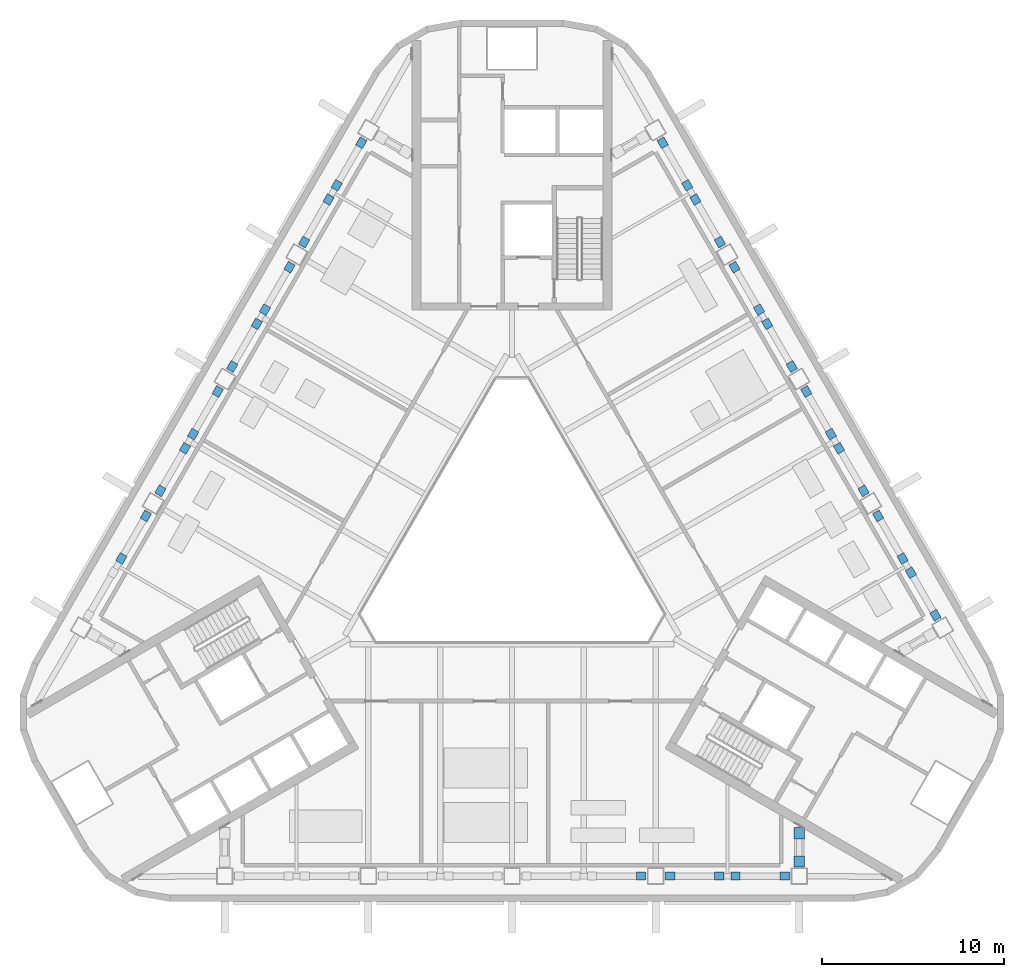
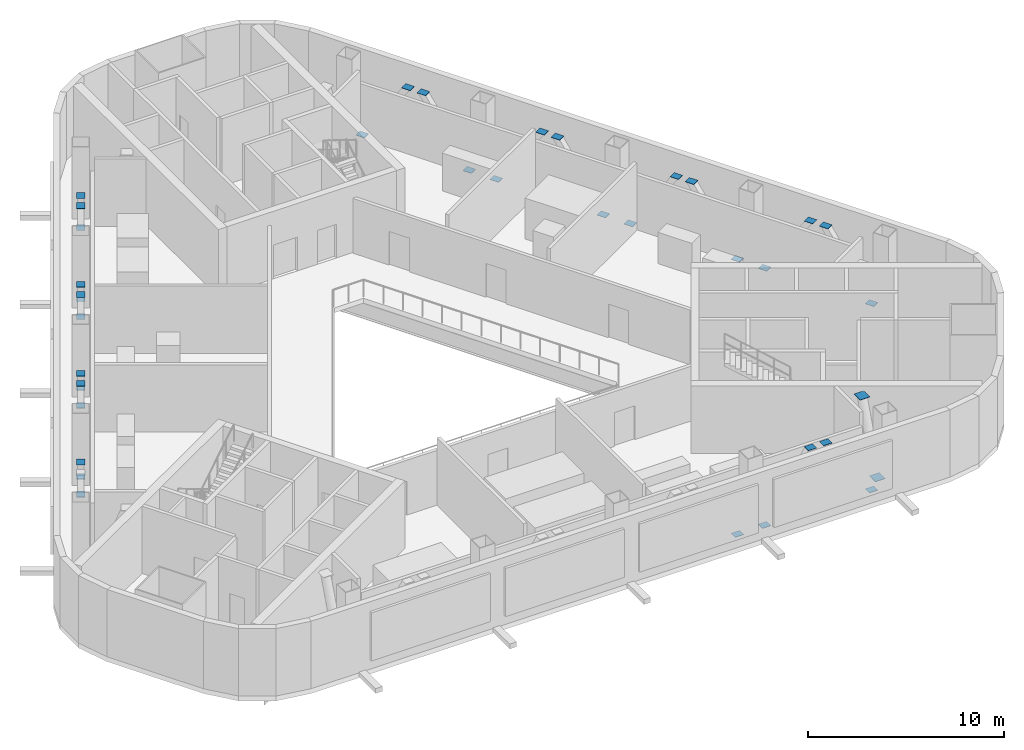
# One storey, part 10 of 15: 37 discrete accessories.
"""IFC4 building model written with IfcOpenShell, lengths in metres."""

from ifc_helpers import new_model, si_unit, direction, frame, origin, origin_2d, place, context, subcontext, project, spatial, rectangle, extrude, material, layer, layer_set, type_object, element, save


model = new_model("IFC4")

# Units and contexts
model_context = context("Model", 3, precision=1e-05, world=origin(), true_north=direction((0.0, 1.0)))
body_context = subcontext(model_context, "Body", "Model", "MODEL_VIEW")
ifc_project = project(units=[si_unit("LENGTHUNIT", "METRE"), si_unit("AREAUNIT", "SQUARE_METRE"), si_unit("VOLUMEUNIT", "CUBIC_METRE"), si_unit("PLANEANGLEUNIT", "RADIAN"), si_unit("MASSUNIT", "GRAM", prefix="KILO")], contexts=[model_context])

# Site, building, storey
site_placement = place(None, origin())
site = spatial("IfcSite", under=ifc_project, at=site_placement, CompositionType="ELEMENT")
building_placement = place(site_placement, origin())
building = spatial("IfcBuilding", under=site, at=building_placement, Name="Apuvela Tower Hotel", CompositionType="ELEMENT")
storey_placement = place(building_placement, frame((0.0, 0.0, 137.60009765625)))
storey = spatial("IfcBuildingStorey", under=building, at=storey_placement, Name="L32 Plant", CompositionType="ELEMENT", Elevation=137.60009765625)

# Discrete accessories
ifc_material = material(Name="Steel S355", Category="steel")
ifc_layer = layer(ifc_material, 0.02001953125)
ifc_layer_set = layer_set([ifc_layer], Name="STR-EP end plate 20")
discrete_accessory_type = type_object("IfcDiscreteAccessoryType", Name="STR-EP end plate 20", PredefinedType="BRACKET", material=ifc_layer_set)
for number, where, z_axis, x_axis, name in (
    (1, (7.10009765625, -18.22998046875, -0.300048828125), (0.0, 0.0, 1.0), (-1.0, 0.0, 0.0), "End plate EP BR2 S3"),
    (2, (8.699951171875, -18.22998046875, -0.300048828125), (0.0, 0.0, 1.0), (1.0, 0.0, 0.0), "End plate EP BR2 S4"),
    (3, (11.39990234375, -18.22998046875, 3.58984375), (0.0, 0.0, 1.0), (1.0, 0.0, 0.0), "End plate EP BR2 S4"),
    (4, (15.0, -18.22998046875, -0.300048828125), (0.0, 0.0, 1.0), (-1.0, 0.0, 0.0), "End plate EP BR2 S4"),
    (5, (12.300048828125, -18.22998046875, 3.58984375), (0.0, 0.0, 1.0), (-1.0, 0.0, 0.0), "End plate EP BR2 S4"),
    (6, (23.28759765625, -3.87548828125, -0.300048828125), (0.0, 0.0, 1.0), (-0.5, 0.866025403784, 0.0), "End plate EP BR2 NE1"),
    (7, (21.9375, -1.537109375, 3.58984375), (0.0, 0.0, 1.0), (-0.5, 0.866025403784, 0.0), "End plate EP BR2 NE1"),
    (8, (20.1376953125, 1.58056640625, -0.300048828125), (0.0, 0.0, 1.0), (0.5, -0.866025403784, 0.0), "End plate EP BR2 NE1"),
    (9, (21.487548828125, -0.7578125, 3.58984375), (0.0, 0.0, 1.0), (0.5, -0.866025403784, 0.0), "End plate EP BR2 NE1"),
    (10, (19.337646484375, 2.96630859375, -0.300048828125), (0.0, 0.0, 1.0), (-0.5, 0.866025403784, 0.0), "End plate EP BR2 NE2"),
    (11, (17.987548828125, 5.304443359375, 3.58984375), (0.0, 0.0, 1.0), (-0.5, 0.866025403784, 0.0), "End plate EP BR2 NE2"),
    (12, (16.1875, 8.422119140625, -0.300048828125), (0.0, 0.0, 1.0), (0.5, -0.866025403784, 0.0), "End plate EP BR2 NE2"),
    (13, (17.53759765625, 6.083984375, 3.58984375), (0.0, 0.0, 1.0), (0.5, -0.866025403784, 0.0), "End plate EP BR2 NE2"),
    (14, (15.3876953125, 9.807861328125, -0.300048828125), (0.0, 0.0, 1.0), (-0.5, 0.866025403784, 0.0), "End plate EP BR2 NE3"),
    (15, (14.03759765625, 12.14599609375, 3.58984375), (0.0, 0.0, 1.0), (-0.5, 0.866025403784, 0.0), "End plate EP BR2 NE3"),
    (16, (12.237548828125, 15.263916015625, -0.300048828125), (0.0, 0.0, 1.0), (0.5, -0.866025403784, 0.0), "End plate EP BR2 NE3"),
    (17, (13.587646484375, 12.925537109375, 3.58984375), (0.0, 0.0, 1.0), (0.5, -0.866025403784, 0.0), "End plate EP BR2 NE3"),
    (18, (11.4375, 16.6494140625, -0.300048828125), (0.0, 0.0, 1.0), (-0.5, 0.866025403784, 0.0), "End plate EP BR2 NE4"),
    (19, (10.087646484375, 18.98779296875, 3.58984375), (0.0, 0.0, 1.0), (-0.5, 0.866025403784, 0.0), "End plate EP BR2 NE4"),
    (20, (8.28759765625, 22.10546875, -0.300048828125), (0.0, 0.0, 1.0), (0.5, -0.866025403784, 0.0), "End plate EP BR2 NE4"),
    (21, (9.6376953125, 19.76708984375, 3.58984375), (0.0, 0.0, 1.0), (0.5, -0.866025403784, 0.0), "End plate EP BR2 NE4"),
    (22, (-8.28759765625, 22.10546875, -0.300048828125), (0.0, 0.0, 1.0), (-0.5, -0.866025403784, 0.0), "End plate EP BR2 NW1"),
    (23, (-9.6376953125, 19.76708984375, 3.58984375), (0.0, 0.0, 1.0), (-0.5, -0.866025403784, 0.0), "End plate EP BR2 NW1"),
    (24, (-11.4375, 16.6494140625, -0.300048828125), (0.0, 0.0, 1.0), (0.5, 0.866025403784, 0.0), "End plate EP BR2 NW1"),
    (25, (-10.087646484375, 18.98779296875, 3.58984375), (0.0, 0.0, 1.0), (0.5, 0.866025403784, 0.0), "End plate EP BR2 NW1"),
    (26, (-12.237548828125, 15.263916015625, -0.300048828125), (0.0, 0.0, 1.0), (-0.5, -0.866025403784, 0.0), "End plate EP BR2 NW2"),
    (27, (-13.587646484375, 12.925537109375, 3.58984375), (0.0, 0.0, 1.0), (-0.5, -0.866025403784, 0.0), "End plate EP BR2 NW2"),
    (28, (-15.3876953125, 9.807861328125, -0.300048828125), (0.0, 0.0, 1.0), (0.5, 0.866025403784, 0.0), "End plate EP BR2 NW2"),
    (29, (-14.03759765625, 12.14599609375, 3.58984375), (0.0, 0.0, 1.0), (0.5, 0.866025403784, 0.0), "End plate EP BR2 NW2"),
    (30, (-16.1875, 8.422119140625, -0.300048828125), (0.0, 0.0, 1.0), (-0.5, -0.866025403784, 0.0), "End plate EP BR2 NW3"),
    (31, (-17.53759765625, 6.083984375, 3.58984375), (0.0, 0.0, 1.0), (-0.5, -0.866025403784, 0.0), "End plate EP BR2 NW3"),
    (32, (-19.337646484375, 2.96630859375, -0.300048828125), (0.0, 0.0, 1.0), (0.5, 0.866025403784, 0.0), "End plate EP BR2 NW3"),
    (33, (-17.987548828125, 5.304443359375, 3.58984375), (0.0, 0.0, 1.0), (0.5, 0.866025403784, 0.0), "End plate EP BR2 NW3"),
    (34, (-20.1376953125, 1.58056640625, -0.300048828125), (0.0, 0.0, 1.0), (-0.5, -0.866025403784, 0.0), "End plate EP BR2 NW4"),
    (35, (-21.487548828125, -0.7578125, 3.58984375), (0.0, 0.0, 1.0), (-0.5, -0.866025403784, 0.0), "End plate EP BR2 NW4"),
):
    element("IfcDiscreteAccessory", number, at=place(storey_placement, frame(where, z_axis=z_axis, x_axis=x_axis)), inside=storey, type_object=discrete_accessory_type, Name=name, PredefinedType="BRACKET", context=body_context, shape_type="SweptSolid", body=[
        extrude(rectangle(XDim=0.50537109375, YDim=0.429931640625, at=origin_2d()), origin(), (0.0, 0.0, 1.0), 0.02001953125),
    ])
for number, where, z_axis, x_axis, name in (
    (36, (15.800048828125, -17.429931640625, -0.300048828125), (0.0, 0.0, 1.0), (0.0, 1.0, 0.0), "End plate EP OD2 S5"),
    (37, (15.800048828125, -15.869140625, 3.849853515625), (0.0, 0.0, 1.0), (0.0, 1.0, 0.0), "End plate EP OD2 S5"),
):
    element("IfcDiscreteAccessory", number, at=place(storey_placement, frame(where, z_axis=z_axis, x_axis=x_axis)), inside=storey, type_object=discrete_accessory_type, Name=name, PredefinedType="BRACKET", context=body_context, shape_type="SweptSolid", body=[
        extrude(rectangle(XDim=0.622314453125, YDim=0.587890625, at=origin_2d()), origin(), (0.0, 0.0, 1.0), 0.02001953125),
    ])

save(model, "model.ifc")
